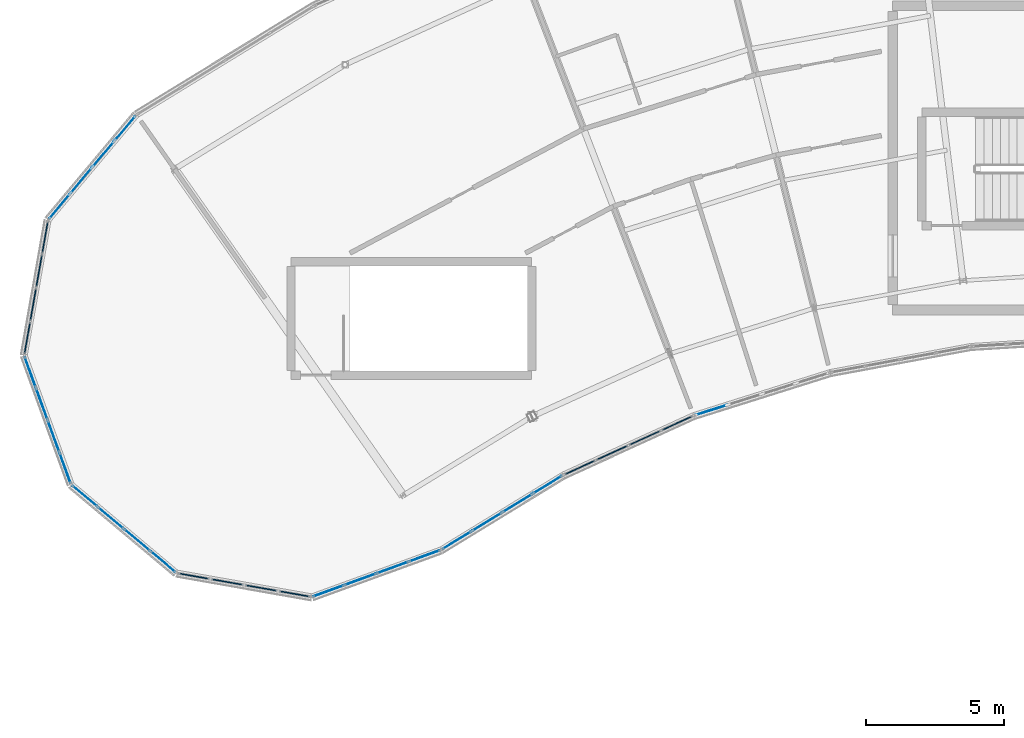
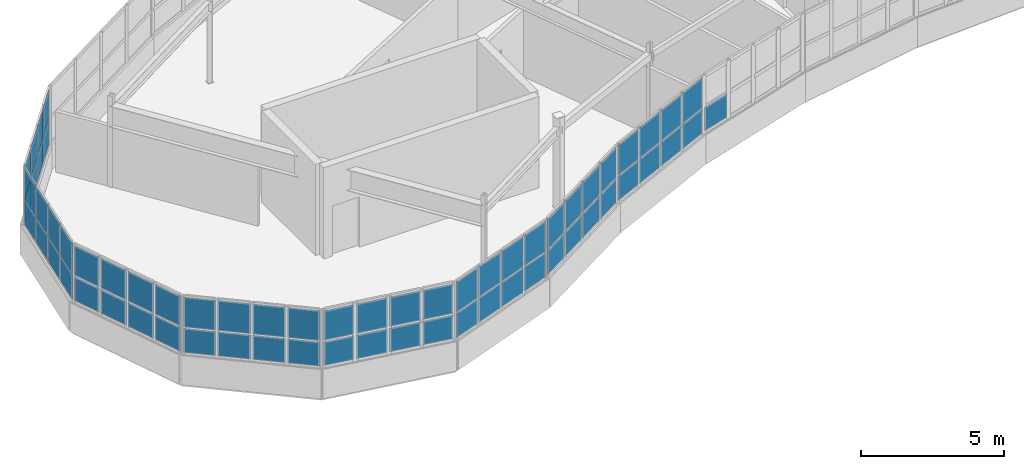
# One storey, part 41 of 60: 65 plates, 9 elements without a shape of their own.
"""IFC4 building model written with IfcOpenShell, lengths in metres."""

from ifc_helpers import new_model, si_unit, direction, frame, origin, origin_2d, place, context, subcontext, project, spatial, rectangle, extrude, material, layer, layer_set, type_object, element, aggregate, save


model = new_model("IFC4")

# Units and contexts
model_context = context("Model", 3, precision=1e-05, world=origin(), true_north=direction((0.0, 1.0)))
body_context = subcontext(model_context, "Body", "Model", "MODEL_VIEW")
ifc_project = project(units=[si_unit("LENGTHUNIT", "METRE"), si_unit("AREAUNIT", "SQUARE_METRE"), si_unit("VOLUMEUNIT", "CUBIC_METRE"), si_unit("PLANEANGLEUNIT", "RADIAN"), si_unit("MASSUNIT", "GRAM", prefix="KILO")], contexts=[model_context])

# Site, building, storey
site_placement = place(None, origin())
site = spatial("IfcSite", under=ifc_project, at=site_placement, CompositionType="ELEMENT")
building_placement = place(site_placement, origin())
building = spatial("IfcBuilding", under=site, at=building_placement, Name="Tarnwether General Hospital", CompositionType="ELEMENT")
storey_placement = place(building_placement, frame((0.0, 0.0, 26.10009765625)))
storey = spatial("IfcBuildingStorey", under=building, at=storey_placement, Name="L06", CompositionType="ELEMENT", Elevation=26.10009765625)

# Curtain wall, plates
ifc_material_1 = material(Name="Anodised aluminium", Category="aluminium")
ifc_layer_1 = layer(ifc_material_1, 0.159912109375)
ifc_layer_set_1 = layer_set([ifc_layer_1], Name="Anodised aluminium")
curtain_wall_type = type_object("IfcCurtainWallType", Name="CW-04", PredefinedType="NOTDEFINED", material=ifc_layer_set_1)
curtain_wall_1_placement = place(storey_placement, origin())
curtain_wall_1 = element("IfcCurtainWall", 1, at=curtain_wall_1_placement, inside=storey, type_object=curtain_wall_type, Name="Curtain Wall CWG-L06-543_1001-0098", PredefinedType="NOTDEFINED")
ifc_material_2 = material(Name="Double glazed low-E glass", Category="glass")
ifc_layer_2 = layer(ifc_material_2, 0.028076171875)
ifc_layer_set_2 = layer_set([ifc_layer_2], Name="Double glazed low-E glass")
plate_type_1 = type_object("IfcPlateType", Name="PT-CWP1", PredefinedType="CURTAIN_PANEL", material=ifc_layer_set_2)
plate_1_placement = place(storey_placement, frame((54.091552734375, 100.690185546875, 1.1201171875), z_axis=(0.0, 0.0, 1.0), x_axis=(-0.341953136469, 0.939717006582, 0.0)))
plate_1 = element("IfcPlate", 2, at=plate_1_placement, type_object=plate_type_1, Name="CW-04 panel 1.1", PredefinedType="CURTAIN_PANEL", context=body_context, shape_type="SweptSolid", body=[
    extrude(rectangle(XDim=1.13720703125, YDim=0.028076171875, at=origin_2d()), origin(), (0.0, 0.0, 1.0), 1.017822265625),
])
plate_2_placement = place(storey_placement, frame((54.091552734375, 100.690185546875, 2.207763671875), z_axis=(0.0, 0.0, 1.0), x_axis=(-0.341953136469, 0.939717006582, 0.0)))
plate_2 = element("IfcPlate", 3, at=plate_2_placement, type_object=plate_type_1, Name="CW-04 panel 1.2", PredefinedType="CURTAIN_PANEL", context=body_context, shape_type="SweptSolid", body=[
    extrude(rectangle(XDim=1.13720703125, YDim=0.028076171875, at=origin_2d()), origin(), (0.0, 0.0, 1.0), 1.26708984375),
])
plate_3_placement = place(storey_placement, frame((53.6728515625, 101.8408203125, 1.1201171875), z_axis=(0.0, 0.0, 1.0), x_axis=(-0.341953136469, 0.939717006582, 0.0)))
plate_3 = element("IfcPlate", 4, at=plate_3_placement, type_object=plate_type_1, Name="CW-04 panel 2.1", PredefinedType="CURTAIN_PANEL", context=body_context, shape_type="SweptSolid", body=[
    extrude(rectangle(XDim=1.172119140625, YDim=0.028076171875, at=origin_2d()), origin(), (0.0, 0.0, 1.0), 1.017822265625),
])
plate_4_placement = place(storey_placement, frame((53.6728515625, 101.8408203125, 2.207763671875), z_axis=(0.0, 0.0, 1.0), x_axis=(-0.341953136469, 0.939717006582, 0.0)))
plate_4 = element("IfcPlate", 5, at=plate_4_placement, type_object=plate_type_1, Name="CW-04 panel 2.2", PredefinedType="CURTAIN_PANEL", context=body_context, shape_type="SweptSolid", body=[
    extrude(rectangle(XDim=1.172119140625, YDim=0.028076171875, at=origin_2d()), origin(), (0.0, 0.0, 1.0), 1.26708984375),
])
plate_5_placement = place(storey_placement, frame((53.248046875, 103.008056640625, 1.1201171875), z_axis=(0.0, 0.0, 1.0), x_axis=(-0.341953136469, 0.939717006582, 0.0)))
plate_5 = element("IfcPlate", 6, at=plate_5_placement, type_object=plate_type_1, Name="CW-04 panel 3.1", PredefinedType="CURTAIN_PANEL", context=body_context, shape_type="SweptSolid", body=[
    extrude(rectangle(XDim=1.172119140625, YDim=0.028076171875, at=origin_2d()), origin(), (0.0, 0.0, 1.0), 1.017822265625),
])
plate_6_placement = place(storey_placement, frame((53.248046875, 103.008056640625, 2.207763671875), z_axis=(0.0, 0.0, 1.0), x_axis=(-0.341953136469, 0.939717006582, 0.0)))
plate_6 = element("IfcPlate", 7, at=plate_6_placement, type_object=plate_type_1, Name="CW-04 panel 3.2", PredefinedType="CURTAIN_PANEL", context=body_context, shape_type="SweptSolid", body=[
    extrude(rectangle(XDim=1.172119140625, YDim=0.028076171875, at=origin_2d()), origin(), (0.0, 0.0, 1.0), 1.26708984375),
])
plate_7_placement = place(storey_placement, frame((52.829345703125, 104.158935546875, 1.1201171875), z_axis=(0.0, 0.0, 1.0), x_axis=(-0.341953136469, 0.939717006582, 0.0)))
plate_7 = element("IfcPlate", 8, at=plate_7_placement, type_object=plate_type_1, Name="CW-04 panel 4.1", PredefinedType="CURTAIN_PANEL", context=body_context, shape_type="SweptSolid", body=[
    extrude(rectangle(XDim=1.13720703125, YDim=0.028076171875, at=origin_2d()), origin(), (0.0, 0.0, 1.0), 1.017822265625),
])
plate_8_placement = place(storey_placement, frame((52.829345703125, 104.158935546875, 2.207763671875), z_axis=(0.0, 0.0, 1.0), x_axis=(-0.341953136469, 0.939717006582, 0.0)))
plate_8 = element("IfcPlate", 9, at=plate_8_placement, type_object=plate_type_1, Name="CW-04 panel 4.2", PredefinedType="CURTAIN_PANEL", context=body_context, shape_type="SweptSolid", body=[
    extrude(rectangle(XDim=1.13720703125, YDim=0.028076171875, at=origin_2d()), origin(), (0.0, 0.0, 1.0), 1.26708984375),
])
aggregate(curtain_wall_1, [plate_1, plate_2, plate_3, plate_4, plate_5, plate_6, plate_7, plate_8])

curtain_wall_2_placement = place(storey_placement, origin())
curtain_wall_2 = element("IfcCurtainWall", 10, at=curtain_wall_2_placement, inside=storey, type_object=curtain_wall_type, Name="Curtain Wall CWG-L06-581_969-0099", PredefinedType="NOTDEFINED")
plate_9_placement = place(storey_placement, frame((57.628662109375, 97.304931640625, 1.11474609375), z_axis=(0.0, 0.0, 1.0), x_axis=(-0.765990176896, 0.64285227611, 0.0)))
plate_9 = element("IfcPlate", 11, at=plate_9_placement, type_object=plate_type_1, Name="CW-04 panel 1.1", PredefinedType="CURTAIN_PANEL", context=body_context, shape_type="SweptSolid", body=[
    extrude(rectangle(XDim=1.14501953125, YDim=0.028076171875, at=origin_2d()), origin(), (0.0, 0.0, 1.0), 1.025390625),
])
plate_10_placement = place(storey_placement, frame((57.628662109375, 97.304931640625, 2.205078125), z_axis=(0.0, 0.0, 1.0), x_axis=(-0.765990176896, 0.64285227611, 0.0)))
plate_10 = element("IfcPlate", 12, at=plate_10_placement, type_object=plate_type_1, Name="CW-04 panel 1.2", PredefinedType="CURTAIN_PANEL", context=body_context, shape_type="SweptSolid", body=[
    extrude(rectangle(XDim=1.14501953125, YDim=0.028076171875, at=origin_2d()), origin(), (0.0, 0.0, 1.0), 1.274658203125),
])
plate_11_placement = place(storey_placement, frame((56.689453125, 98.093017578125, 1.11474609375), z_axis=(0.0, 0.0, 1.0), x_axis=(-0.765990176896, 0.64285227611, 0.0)))
plate_11 = element("IfcPlate", 13, at=plate_11_placement, type_object=plate_type_1, Name="CW-04 panel 2.1", PredefinedType="CURTAIN_PANEL", context=body_context, shape_type="SweptSolid", body=[
    extrude(rectangle(XDim=1.177490234375, YDim=0.028076171875, at=origin_2d()), origin(), (0.0, 0.0, 1.0), 1.025390625),
])
plate_12_placement = place(storey_placement, frame((56.689453125, 98.093017578125, 2.205078125), z_axis=(0.0, 0.0, 1.0), x_axis=(-0.765990176896, 0.64285227611, 0.0)))
plate_12 = element("IfcPlate", 14, at=plate_12_placement, type_object=plate_type_1, Name="CW-04 panel 2.2", PredefinedType="CURTAIN_PANEL", context=body_context, shape_type="SweptSolid", body=[
    extrude(rectangle(XDim=1.177490234375, YDim=0.028076171875, at=origin_2d()), origin(), (0.0, 0.0, 1.0), 1.274658203125),
])
plate_13_placement = place(storey_placement, frame((55.737548828125, 98.891845703125, 1.11474609375), z_axis=(0.0, 0.0, 1.0), x_axis=(-0.765990176896, 0.64285227611, 0.0)))
plate_13 = element("IfcPlate", 15, at=plate_13_placement, type_object=plate_type_1, Name="CW-04 panel 3.1", PredefinedType="CURTAIN_PANEL", context=body_context, shape_type="SweptSolid", body=[
    extrude(rectangle(XDim=1.177490234375, YDim=0.028076171875, at=origin_2d()), origin(), (0.0, 0.0, 1.0), 1.025390625),
])
plate_14_placement = place(storey_placement, frame((55.737548828125, 98.891845703125, 2.205078125), z_axis=(0.0, 0.0, 1.0), x_axis=(-0.765990176896, 0.64285227611, 0.0)))
plate_14 = element("IfcPlate", 16, at=plate_14_placement, type_object=plate_type_1, Name="CW-04 panel 3.2", PredefinedType="CURTAIN_PANEL", context=body_context, shape_type="SweptSolid", body=[
    extrude(rectangle(XDim=1.177490234375, YDim=0.028076171875, at=origin_2d()), origin(), (0.0, 0.0, 1.0), 1.274658203125),
])
plate_15_placement = place(storey_placement, frame((54.79833984375, 99.68017578125, 1.11474609375), z_axis=(0.0, 0.0, 1.0), x_axis=(-0.765990176896, 0.64285227611, 0.0)))
plate_15 = element("IfcPlate", 17, at=plate_15_placement, type_object=plate_type_1, Name="CW-04 panel 4.1", PredefinedType="CURTAIN_PANEL", context=body_context, shape_type="SweptSolid", body=[
    extrude(rectangle(XDim=1.14501953125, YDim=0.028076171875, at=origin_2d()), origin(), (0.0, 0.0, 1.0), 1.025390625),
])
plate_16_placement = place(storey_placement, frame((54.79833984375, 99.68017578125, 2.205078125), z_axis=(0.0, 0.0, 1.0), x_axis=(-0.765990176896, 0.64285227611, 0.0)))
plate_16 = element("IfcPlate", 18, at=plate_16_placement, type_object=plate_type_1, Name="CW-04 panel 4.2", PredefinedType="CURTAIN_PANEL", context=body_context, shape_type="SweptSolid", body=[
    extrude(rectangle(XDim=1.14501953125, YDim=0.028076171875, at=origin_2d()), origin(), (0.0, 0.0, 1.0), 1.274658203125),
])
aggregate(curtain_wall_2, [plate_9, plate_10, plate_11, plate_12, plate_13, plate_14, plate_15, plate_16])

curtain_wall_3_placement = place(storey_placement, origin())
curtain_wall_3 = element("IfcCurtainWall", 19, at=curtain_wall_3_placement, inside=storey, type_object=curtain_wall_type, Name="Curtain Wall CWG-L06-677_977-0101", PredefinedType="NOTDEFINED")
plate_17_placement = place(storey_placement, frame((67.082275390625, 97.514404296875, 1.10986328125), z_axis=(0.0, 0.0, 1.0), x_axis=(-0.939652319163, -0.342130850834, 0.0)))
plate_17 = element("IfcPlate", 20, at=plate_17_placement, type_object=plate_type_1, Name="CW-04 panel 1.1", PredefinedType="CURTAIN_PANEL", context=body_context, shape_type="SweptSolid", body=[
    extrude(rectangle(XDim=1.152099609375, YDim=0.028076171875, at=origin_2d()), origin(), (0.0, 0.0, 1.0), 1.03271484375),
])
plate_18_placement = place(storey_placement, frame((67.082275390625, 97.514404296875, 2.20263671875), z_axis=(0.0, 0.0, 1.0), x_axis=(-0.939652319163, -0.342130850834, 0.0)))
plate_18 = element("IfcPlate", 21, at=plate_18_placement, type_object=plate_type_1, Name="CW-04 panel 1.2", PredefinedType="CURTAIN_PANEL", context=body_context, shape_type="SweptSolid", body=[
    extrude(rectangle(XDim=1.152099609375, YDim=0.028076171875, at=origin_2d()), origin(), (0.0, 0.0, 1.0), 1.2822265625),
])
plate_19_placement = place(storey_placement, frame((65.92919921875, 97.094482421875, 1.10986328125), z_axis=(0.0, 0.0, 1.0), x_axis=(-0.939652319163, -0.342130850834, 0.0)))
plate_19 = element("IfcPlate", 22, at=plate_19_placement, type_object=plate_type_1, Name="CW-04 panel 2.1", PredefinedType="CURTAIN_PANEL", context=body_context, shape_type="SweptSolid", body=[
    extrude(rectangle(XDim=1.18212890625, YDim=0.028076171875, at=origin_2d()), origin(), (0.0, 0.0, 1.0), 1.03271484375),
])
plate_20_placement = place(storey_placement, frame((65.92919921875, 97.094482421875, 2.20263671875), z_axis=(0.0, 0.0, 1.0), x_axis=(-0.939652319163, -0.342130850834, 0.0)))
plate_20 = element("IfcPlate", 23, at=plate_20_placement, type_object=plate_type_1, Name="CW-04 panel 2.2", PredefinedType="CURTAIN_PANEL", context=body_context, shape_type="SweptSolid", body=[
    extrude(rectangle(XDim=1.18212890625, YDim=0.028076171875, at=origin_2d()), origin(), (0.0, 0.0, 1.0), 1.2822265625),
])
plate_21_placement = place(storey_placement, frame((64.761962890625, 96.66943359375, 1.10986328125), z_axis=(0.0, 0.0, 1.0), x_axis=(-0.939652319163, -0.342130850834, 0.0)))
plate_21 = element("IfcPlate", 24, at=plate_21_placement, type_object=plate_type_1, Name="CW-04 panel 3.1", PredefinedType="CURTAIN_PANEL", context=body_context, shape_type="SweptSolid", body=[
    extrude(rectangle(XDim=1.18212890625, YDim=0.028076171875, at=origin_2d()), origin(), (0.0, 0.0, 1.0), 1.03271484375),
])
plate_22_placement = place(storey_placement, frame((64.761962890625, 96.66943359375, 2.20263671875), z_axis=(0.0, 0.0, 1.0), x_axis=(-0.939652319163, -0.342130850834, 0.0)))
plate_22 = element("IfcPlate", 25, at=plate_22_placement, type_object=plate_type_1, Name="CW-04 panel 3.2", PredefinedType="CURTAIN_PANEL", context=body_context, shape_type="SweptSolid", body=[
    extrude(rectangle(XDim=1.18212890625, YDim=0.028076171875, at=origin_2d()), origin(), (0.0, 0.0, 1.0), 1.2822265625),
])
plate_23_placement = place(storey_placement, frame((63.608642578125, 96.24951171875, 1.10986328125), z_axis=(0.0, 0.0, 1.0), x_axis=(-0.939652319163, -0.342130850834, 0.0)))
plate_23 = element("IfcPlate", 26, at=plate_23_placement, type_object=plate_type_1, Name="CW-04 panel 4.1", PredefinedType="CURTAIN_PANEL", context=body_context, shape_type="SweptSolid", body=[
    extrude(rectangle(XDim=1.152099609375, YDim=0.028076171875, at=origin_2d()), origin(), (0.0, 0.0, 1.0), 1.03271484375),
])
plate_24_placement = place(storey_placement, frame((63.608642578125, 96.24951171875, 2.20263671875), z_axis=(0.0, 0.0, 1.0), x_axis=(-0.939652319163, -0.342130850834, 0.0)))
plate_24 = element("IfcPlate", 27, at=plate_24_placement, type_object=plate_type_1, Name="CW-04 panel 4.2", PredefinedType="CURTAIN_PANEL", context=body_context, shape_type="SweptSolid", body=[
    extrude(rectangle(XDim=1.152099609375, YDim=0.028076171875, at=origin_2d()), origin(), (0.0, 0.0, 1.0), 1.2822265625),
])
aggregate(curtain_wall_3, [plate_17, plate_18, plate_19, plate_20, plate_21, plate_22, plate_23, plate_24])

curtain_wall_4_placement = place(storey_placement, origin())
curtain_wall_4 = element("IfcCurtainWall", 28, at=curtain_wall_4_placement, inside=storey, type_object=curtain_wall_type, Name="Curtain Wall CWG-L06-721_1004-0102", PredefinedType="NOTDEFINED")
plate_25_placement = place(storey_placement, frame((71.52734375, 100.08984375, 1.1201171875), z_axis=(0.0, 0.0, 1.0), x_axis=(-0.852631789198, -0.522512231483, 0.0)))
plate_25 = element("IfcPlate", 29, at=plate_25_placement, type_object=plate_type_1, Name="CW-04 panel 1.1", PredefinedType="CURTAIN_PANEL", context=body_context, shape_type="SweptSolid", body=[
    extrude(rectangle(XDim=1.189208984375, YDim=0.028076171875, at=origin_2d()), origin(), (0.0, 0.0, 1.0), 1.017822265625),
])
plate_26_placement = place(storey_placement, frame((71.52734375, 100.08984375, 2.207763671875), z_axis=(0.0, 0.0, 1.0), x_axis=(-0.852631789198, -0.522512231483, 0.0)))
plate_26 = element("IfcPlate", 30, at=plate_26_placement, type_object=plate_type_1, Name="CW-04 panel 1.2", PredefinedType="CURTAIN_PANEL", context=body_context, shape_type="SweptSolid", body=[
    extrude(rectangle(XDim=1.189208984375, YDim=0.028076171875, at=origin_2d()), origin(), (0.0, 0.0, 1.0), 1.26708984375),
])
plate_27_placement = place(storey_placement, frame((70.438720703125, 99.422607421875, 1.1201171875), z_axis=(0.0, 0.0, 1.0), x_axis=(-0.852631789198, -0.522512231483, 0.0)))
plate_27 = element("IfcPlate", 31, at=plate_27_placement, type_object=plate_type_1, Name="CW-04 panel 2.1", PredefinedType="CURTAIN_PANEL", context=body_context, shape_type="SweptSolid", body=[
    extrude(rectangle(XDim=1.22412109375, YDim=0.028076171875, at=origin_2d()), origin(), (0.0, 0.0, 1.0), 1.017822265625),
])
plate_28_placement = place(storey_placement, frame((70.438720703125, 99.422607421875, 2.207763671875), z_axis=(0.0, 0.0, 1.0), x_axis=(-0.852631789198, -0.522512231483, 0.0)))
plate_28 = element("IfcPlate", 32, at=plate_28_placement, type_object=plate_type_1, Name="CW-04 panel 2.2", PredefinedType="CURTAIN_PANEL", context=body_context, shape_type="SweptSolid", body=[
    extrude(rectangle(XDim=1.22412109375, YDim=0.028076171875, at=origin_2d()), origin(), (0.0, 0.0, 1.0), 1.26708984375),
])
plate_29_placement = place(storey_placement, frame((69.335205078125, 98.746337890625, 1.1201171875), z_axis=(0.0, 0.0, 1.0), x_axis=(-0.852631789198, -0.522512231483, 0.0)))
plate_29 = element("IfcPlate", 33, at=plate_29_placement, type_object=plate_type_1, Name="CW-04 panel 3.1", PredefinedType="CURTAIN_PANEL", context=body_context, shape_type="SweptSolid", body=[
    extrude(rectangle(XDim=1.22412109375, YDim=0.028076171875, at=origin_2d()), origin(), (0.0, 0.0, 1.0), 1.017822265625),
])
plate_30_placement = place(storey_placement, frame((69.335205078125, 98.746337890625, 2.207763671875), z_axis=(0.0, 0.0, 1.0), x_axis=(-0.852631789198, -0.522512231483, 0.0)))
plate_30 = element("IfcPlate", 34, at=plate_30_placement, type_object=plate_type_1, Name="CW-04 panel 3.2", PredefinedType="CURTAIN_PANEL", context=body_context, shape_type="SweptSolid", body=[
    extrude(rectangle(XDim=1.22412109375, YDim=0.028076171875, at=origin_2d()), origin(), (0.0, 0.0, 1.0), 1.26708984375),
])
plate_31_placement = place(storey_placement, frame((68.24658203125, 98.079345703125, 1.1201171875), z_axis=(0.0, 0.0, 1.0), x_axis=(-0.852631789198, -0.522512231483, 0.0)))
plate_31 = element("IfcPlate", 35, at=plate_31_placement, type_object=plate_type_1, Name="CW-04 panel 4.1", PredefinedType="CURTAIN_PANEL", context=body_context, shape_type="SweptSolid", body=[
    extrude(rectangle(XDim=1.189208984375, YDim=0.028076171875, at=origin_2d()), origin(), (0.0, 0.0, 1.0), 1.017822265625),
])
plate_32_placement = place(storey_placement, frame((68.24658203125, 98.079345703125, 2.207763671875), z_axis=(0.0, 0.0, 1.0), x_axis=(-0.852631789198, -0.522512231483, 0.0)))
plate_32 = element("IfcPlate", 36, at=plate_32_placement, type_object=plate_type_1, Name="CW-04 panel 4.2", PredefinedType="CURTAIN_PANEL", context=body_context, shape_type="SweptSolid", body=[
    extrude(rectangle(XDim=1.189208984375, YDim=0.028076171875, at=origin_2d()), origin(), (0.0, 0.0, 1.0), 1.26708984375),
])
aggregate(curtain_wall_4, [plate_25, plate_26, plate_27, plate_28, plate_29, plate_30, plate_31, plate_32])

# Curtain wall, plate
curtain_wall_5_placement = place(storey_placement, origin())
curtain_wall_5 = element("IfcCurtainWall", 37, at=curtain_wall_5_placement, inside=storey, type_object=curtain_wall_type, Name="Curtain Wall CWG-L06-817_1041-0104", PredefinedType="NOTDEFINED")
plate_33_placement = place(storey_placement, frame((77.44140625, 102.78466796875, 1.1298828125), z_axis=(0.0, 0.0, 1.0), x_axis=(-0.953713927508, -0.30071538783, 0.0)))
plate_33 = element("IfcPlate", 38, at=plate_33_placement, type_object=plate_type_1, Name="CW-04 panel 4.1", PredefinedType="CURTAIN_PANEL", context=body_context, shape_type="SweptSolid", body=[
    extrude(rectangle(XDim=1.17431640625, YDim=0.028076171875, at=origin_2d()), origin(), (0.0, 0.0, 1.0), 1.002685546875),
])
aggregate(curtain_wall_5, [plate_33])

# Curtain wall, plates
curtain_wall_6_placement = place(storey_placement, origin())
curtain_wall_6 = element("IfcCurtainWall", 39, at=curtain_wall_6_placement, inside=storey, type_object=curtain_wall_type, Name="Curtain Wall CWG-L06-535_1097-0128", PredefinedType="NOTDEFINED")
plate_34_placement = place(storey_placement, frame((53.88525390625, 110.144287109375, 1.1298828125), z_axis=(0.0, 0.0, 1.0), x_axis=(0.64285227611, 0.765990176896, 0.0)))
plate_34 = element("IfcPlate", 40, at=plate_34_placement, type_object=plate_type_1, Name="CW-04 panel 1.1", PredefinedType="CURTAIN_PANEL", context=body_context, shape_type="SweptSolid", body=[
    extrude(rectangle(XDim=1.12255859375, YDim=0.028076171875, at=origin_2d()), origin(), (0.0, 0.0, 1.0), 1.002685546875),
])
plate_35_placement = place(storey_placement, frame((53.88525390625, 110.144287109375, 2.212890625), z_axis=(0.0, 0.0, 1.0), x_axis=(0.64285227611, 0.765990176896, 0.0)))
plate_35 = element("IfcPlate", 41, at=plate_35_placement, type_object=plate_type_1, Name="CW-04 panel 1.2", PredefinedType="CURTAIN_PANEL", context=body_context, shape_type="SweptSolid", body=[
    extrude(rectangle(XDim=1.12255859375, YDim=0.028076171875, at=origin_2d()), origin(), (0.0, 0.0, 1.0), 1.252197265625),
])
plate_36_placement = place(storey_placement, frame((54.671142578125, 111.08056640625, 1.1298828125), z_axis=(0.0, 0.0, 1.0), x_axis=(0.64285227611, 0.765990176896, 0.0)))
plate_36 = element("IfcPlate", 42, at=plate_36_placement, type_object=plate_type_1, Name="CW-04 panel 2.1", PredefinedType="CURTAIN_PANEL", context=body_context, shape_type="SweptSolid", body=[
    extrude(rectangle(XDim=1.16259765625, YDim=0.028076171875, at=origin_2d()), origin(), (0.0, 0.0, 1.0), 1.002685546875),
])
plate_37_placement = place(storey_placement, frame((54.671142578125, 111.08056640625, 2.212890625), z_axis=(0.0, 0.0, 1.0), x_axis=(0.64285227611, 0.765990176896, 0.0)))
plate_37 = element("IfcPlate", 43, at=plate_37_placement, type_object=plate_type_1, Name="CW-04 panel 2.2", PredefinedType="CURTAIN_PANEL", context=body_context, shape_type="SweptSolid", body=[
    extrude(rectangle(XDim=1.16259765625, YDim=0.028076171875, at=origin_2d()), origin(), (0.0, 0.0, 1.0), 1.252197265625),
])
plate_38_placement = place(storey_placement, frame((55.469970703125, 112.032470703125, 1.1298828125), z_axis=(0.0, 0.0, 1.0), x_axis=(0.64285227611, 0.765990176896, 0.0)))
plate_38 = element("IfcPlate", 44, at=plate_38_placement, type_object=plate_type_1, Name="CW-04 panel 3.1", PredefinedType="CURTAIN_PANEL", context=body_context, shape_type="SweptSolid", body=[
    extrude(rectangle(XDim=1.16259765625, YDim=0.028076171875, at=origin_2d()), origin(), (0.0, 0.0, 1.0), 1.002685546875),
])
plate_39_placement = place(storey_placement, frame((55.469970703125, 112.032470703125, 2.212890625), z_axis=(0.0, 0.0, 1.0), x_axis=(0.64285227611, 0.765990176896, 0.0)))
plate_39 = element("IfcPlate", 45, at=plate_39_placement, type_object=plate_type_1, Name="CW-04 panel 3.2", PredefinedType="CURTAIN_PANEL", context=body_context, shape_type="SweptSolid", body=[
    extrude(rectangle(XDim=1.16259765625, YDim=0.028076171875, at=origin_2d()), origin(), (0.0, 0.0, 1.0), 1.252197265625),
])
plate_40_placement = place(storey_placement, frame((56.255859375, 112.96875, 1.1298828125), z_axis=(0.0, 0.0, 1.0), x_axis=(0.64285227611, 0.765990176896, 0.0)))
plate_40 = element("IfcPlate", 46, at=plate_40_placement, type_object=plate_type_1, Name="CW-04 panel 4.1", PredefinedType="CURTAIN_PANEL", context=body_context, shape_type="SweptSolid", body=[
    extrude(rectangle(XDim=1.12255859375, YDim=0.028076171875, at=origin_2d()), origin(), (0.0, 0.0, 1.0), 1.002685546875),
])
plate_41_placement = place(storey_placement, frame((56.255859375, 112.96875, 2.212890625), z_axis=(0.0, 0.0, 1.0), x_axis=(0.64285227611, 0.765990176896, 0.0)))
plate_41 = element("IfcPlate", 47, at=plate_41_placement, type_object=plate_type_1, Name="CW-04 panel 4.2", PredefinedType="CURTAIN_PANEL", context=body_context, shape_type="SweptSolid", body=[
    extrude(rectangle(XDim=1.12255859375, YDim=0.028076171875, at=origin_2d()), origin(), (0.0, 0.0, 1.0), 1.252197265625),
])
aggregate(curtain_wall_6, [plate_34, plate_35, plate_36, plate_37, plate_38, plate_39, plate_40, plate_41])

curtain_wall_7_placement = place(storey_placement, origin())
curtain_wall_7 = element("IfcCurtainWall", 48, at=curtain_wall_7_placement, inside=storey, type_object=curtain_wall_type, Name="Curtain Wall CWG-L06-526_1048-0097", PredefinedType="NOTDEFINED")
ifc_material_3 = material(Name="Double glazed low-E glass", Category="glass")
ifc_layer_3 = layer(ifc_material_3, 0.035888671875)
ifc_layer_set_3 = layer_set([ifc_layer_3], Name="Double glazed low-E glass")
plate_type_2 = type_object("IfcPlateType", Name="PT-CWP2", PredefinedType="CURTAIN_PANEL", material=ifc_layer_set_3)
plate_42_placement = place(storey_placement, frame((52.721435546875, 105.385498046875, 1.10986328125), z_axis=(0.0, 0.0, 1.0), x_axis=(0.173463890135, 0.984840230098, 0.0)))
plate_42 = element("IfcPlate", 49, at=plate_42_placement, type_object=plate_type_2, Name="CW-04 panel 1.1", PredefinedType="CURTAIN_PANEL", context=body_context, shape_type="SweptSolid", body=[
    extrude(rectangle(XDim=1.15234375, YDim=0.035888671875, at=origin_2d()), origin(), (0.0, 0.0, 1.0), 1.03271484375),
])
plate_43_placement = place(storey_placement, frame((52.721435546875, 105.385498046875, 2.20263671875), z_axis=(0.0, 0.0, 1.0), x_axis=(0.173463890135, 0.984840230098, 0.0)))
plate_43 = element("IfcPlate", 50, at=plate_43_placement, type_object=plate_type_2, Name="CW-04 panel 1.2", PredefinedType="CURTAIN_PANEL", context=body_context, shape_type="SweptSolid", body=[
    extrude(rectangle(XDim=1.15234375, YDim=0.035888671875, at=origin_2d()), origin(), (0.0, 0.0, 1.0), 1.2822265625),
])
plate_44_placement = place(storey_placement, frame((52.934326171875, 106.59423828125, 1.10986328125), z_axis=(0.0, 0.0, 1.0), x_axis=(0.173463890135, 0.984840230098, 0.0)))
plate_44 = element("IfcPlate", 51, at=plate_44_placement, type_object=plate_type_2, Name="CW-04 panel 2.1", PredefinedType="CURTAIN_PANEL", context=body_context, shape_type="SweptSolid", body=[
    extrude(rectangle(XDim=1.182373046875, YDim=0.035888671875, at=origin_2d()), origin(), (0.0, 0.0, 1.0), 1.03271484375),
])
plate_45_placement = place(storey_placement, frame((52.934326171875, 106.59423828125, 2.20263671875), z_axis=(0.0, 0.0, 1.0), x_axis=(0.173463890135, 0.984840230098, 0.0)))
plate_45 = element("IfcPlate", 52, at=plate_45_placement, type_object=plate_type_2, Name="CW-04 panel 2.2", PredefinedType="CURTAIN_PANEL", context=body_context, shape_type="SweptSolid", body=[
    extrude(rectangle(XDim=1.182373046875, YDim=0.035888671875, at=origin_2d()), origin(), (0.0, 0.0, 1.0), 1.2822265625),
])
plate_46_placement = place(storey_placement, frame((53.149658203125, 107.81787109375, 1.10986328125), z_axis=(0.0, 0.0, 1.0), x_axis=(0.173463890135, 0.984840230098, 0.0)))
plate_46 = element("IfcPlate", 53, at=plate_46_placement, type_object=plate_type_2, Name="CW-04 panel 3.1", PredefinedType="CURTAIN_PANEL", context=body_context, shape_type="SweptSolid", body=[
    extrude(rectangle(XDim=1.182373046875, YDim=0.035888671875, at=origin_2d()), origin(), (0.0, 0.0, 1.0), 1.03271484375),
])
plate_47_placement = place(storey_placement, frame((53.149658203125, 107.81787109375, 2.20263671875), z_axis=(0.0, 0.0, 1.0), x_axis=(0.173463890135, 0.984840230098, 0.0)))
plate_47 = element("IfcPlate", 54, at=plate_47_placement, type_object=plate_type_2, Name="CW-04 panel 3.2", PredefinedType="CURTAIN_PANEL", context=body_context, shape_type="SweptSolid", body=[
    extrude(rectangle(XDim=1.182373046875, YDim=0.035888671875, at=origin_2d()), origin(), (0.0, 0.0, 1.0), 1.2822265625),
])
plate_48_placement = place(storey_placement, frame((53.362548828125, 109.0263671875, 1.10986328125), z_axis=(0.0, 0.0, 1.0), x_axis=(0.173463890135, 0.984840230098, 0.0)))
plate_48 = element("IfcPlate", 55, at=plate_48_placement, type_object=plate_type_2, Name="CW-04 panel 4.1", PredefinedType="CURTAIN_PANEL", context=body_context, shape_type="SweptSolid", body=[
    extrude(rectangle(XDim=1.15234375, YDim=0.035888671875, at=origin_2d()), origin(), (0.0, 0.0, 1.0), 1.03271484375),
])
plate_49_placement = place(storey_placement, frame((53.362548828125, 109.0263671875, 2.20263671875), z_axis=(0.0, 0.0, 1.0), x_axis=(0.173463890135, 0.984840230098, 0.0)))
plate_49 = element("IfcPlate", 56, at=plate_49_placement, type_object=plate_type_2, Name="CW-04 panel 4.2", PredefinedType="CURTAIN_PANEL", context=body_context, shape_type="SweptSolid", body=[
    extrude(rectangle(XDim=1.15234375, YDim=0.035888671875, at=origin_2d()), origin(), (0.0, 0.0, 1.0), 1.2822265625),
])
aggregate(curtain_wall_7, [plate_42, plate_43, plate_44, plate_45, plate_46, plate_47, plate_48, plate_49])

curtain_wall_8_placement = place(storey_placement, origin())
curtain_wall_8 = element("IfcCurtainWall", 57, at=curtain_wall_8_placement, inside=storey, type_object=curtain_wall_type, Name="Curtain Wall CWG-L06-630_960-0100", PredefinedType="NOTDEFINED")
plate_50_placement = place(storey_placement, frame((62.379638671875, 96.143310546875, 1.1298828125), z_axis=(0.0, 0.0, 1.0), x_axis=(-0.984805834268, 0.173659059054, 0.0)))
plate_50 = element("IfcPlate", 58, at=plate_50_placement, type_object=plate_type_2, Name="CW-04 panel 1.1", PredefinedType="CURTAIN_PANEL", context=body_context, shape_type="SweptSolid", body=[
    extrude(rectangle(XDim=1.122314453125, YDim=0.035888671875, at=origin_2d()), origin(), (0.0, 0.0, 1.0), 1.002685546875),
])
plate_51_placement = place(storey_placement, frame((62.379638671875, 96.143310546875, 2.212890625), z_axis=(0.0, 0.0, 1.0), x_axis=(-0.984805834268, 0.173659059054, 0.0)))
plate_51 = element("IfcPlate", 59, at=plate_51_placement, type_object=plate_type_2, Name="CW-04 panel 1.2", PredefinedType="CURTAIN_PANEL", context=body_context, shape_type="SweptSolid", body=[
    extrude(rectangle(XDim=1.122314453125, YDim=0.035888671875, at=origin_2d()), origin(), (0.0, 0.0, 1.0), 1.252197265625),
])
plate_52_placement = place(storey_placement, frame((61.17578125, 96.355712890625, 1.1298828125), z_axis=(0.0, 0.0, 1.0), x_axis=(-0.984805834268, 0.173659059054, 0.0)))
plate_52 = element("IfcPlate", 60, at=plate_52_placement, type_object=plate_type_2, Name="CW-04 panel 2.1", PredefinedType="CURTAIN_PANEL", context=body_context, shape_type="SweptSolid", body=[
    extrude(rectangle(XDim=1.162353515625, YDim=0.035888671875, at=origin_2d()), origin(), (0.0, 0.0, 1.0), 1.002685546875),
])
plate_53_placement = place(storey_placement, frame((61.17578125, 96.355712890625, 2.212890625), z_axis=(0.0, 0.0, 1.0), x_axis=(-0.984805834268, 0.173659059054, 0.0)))
plate_53 = element("IfcPlate", 61, at=plate_53_placement, type_object=plate_type_2, Name="CW-04 panel 2.2", PredefinedType="CURTAIN_PANEL", context=body_context, shape_type="SweptSolid", body=[
    extrude(rectangle(XDim=1.162353515625, YDim=0.035888671875, at=origin_2d()), origin(), (0.0, 0.0, 1.0), 1.252197265625),
])
plate_54_placement = place(storey_placement, frame((59.9521484375, 96.5712890625, 1.1298828125), z_axis=(0.0, 0.0, 1.0), x_axis=(-0.984805834268, 0.173659059054, 0.0)))
plate_54 = element("IfcPlate", 62, at=plate_54_placement, type_object=plate_type_2, Name="CW-04 panel 3.1", PredefinedType="CURTAIN_PANEL", context=body_context, shape_type="SweptSolid", body=[
    extrude(rectangle(XDim=1.162353515625, YDim=0.035888671875, at=origin_2d()), origin(), (0.0, 0.0, 1.0), 1.002685546875),
])
plate_55_placement = place(storey_placement, frame((59.9521484375, 96.5712890625, 2.212890625), z_axis=(0.0, 0.0, 1.0), x_axis=(-0.984805834268, 0.173659059054, 0.0)))
plate_55 = element("IfcPlate", 63, at=plate_55_placement, type_object=plate_type_2, Name="CW-04 panel 3.2", PredefinedType="CURTAIN_PANEL", context=body_context, shape_type="SweptSolid", body=[
    extrude(rectangle(XDim=1.162353515625, YDim=0.035888671875, at=origin_2d()), origin(), (0.0, 0.0, 1.0), 1.252197265625),
])
plate_56_placement = place(storey_placement, frame((58.74853515625, 96.78369140625, 1.1298828125), z_axis=(0.0, 0.0, 1.0), x_axis=(-0.984805834268, 0.173659059054, 0.0)))
plate_56 = element("IfcPlate", 64, at=plate_56_placement, type_object=plate_type_2, Name="CW-04 panel 4.1", PredefinedType="CURTAIN_PANEL", context=body_context, shape_type="SweptSolid", body=[
    extrude(rectangle(XDim=1.122314453125, YDim=0.035888671875, at=origin_2d()), origin(), (0.0, 0.0, 1.0), 1.002685546875),
])
plate_57_placement = place(storey_placement, frame((58.74853515625, 96.78369140625, 2.212890625), z_axis=(0.0, 0.0, 1.0), x_axis=(-0.984805834268, 0.173659059054, 0.0)))
plate_57 = element("IfcPlate", 65, at=plate_57_placement, type_object=plate_type_2, Name="CW-04 panel 4.2", PredefinedType="CURTAIN_PANEL", context=body_context, shape_type="SweptSolid", body=[
    extrude(rectangle(XDim=1.122314453125, YDim=0.035888671875, at=origin_2d()), origin(), (0.0, 0.0, 1.0), 1.252197265625),
])
aggregate(curtain_wall_8, [plate_50, plate_51, plate_52, plate_53, plate_54, plate_55, plate_56, plate_57])

curtain_wall_9_placement = place(storey_placement, origin())
curtain_wall_9 = element("IfcCurtainWall", 66, at=curtain_wall_9_placement, inside=storey, type_object=curtain_wall_type, Name="Curtain Wall CWG-L06-768_1026-0103", PredefinedType="NOTDEFINED")
plate_58_placement = place(storey_placement, frame((76.201416015625, 102.308837890625, 1.11474609375), z_axis=(0.0, 0.0, 1.0), x_axis=(-0.90995590549, -0.41470501572, 0.0)))
plate_58 = element("IfcPlate", 67, at=plate_58_placement, type_object=plate_type_2, Name="CW-04 panel 1.1", PredefinedType="CURTAIN_PANEL", context=body_context, shape_type="SweptSolid", body=[
    extrude(rectangle(XDim=1.19677734375, YDim=0.035888671875, at=origin_2d()), origin(), (0.0, 0.0, 1.0), 1.025390625),
])
plate_59_placement = place(storey_placement, frame((76.201416015625, 102.308837890625, 2.205078125), z_axis=(0.0, 0.0, 1.0), x_axis=(-0.90995590549, -0.41470501572, 0.0)))
plate_59 = element("IfcPlate", 68, at=plate_59_placement, type_object=plate_type_2, Name="CW-04 panel 1.2", PredefinedType="CURTAIN_PANEL", context=body_context, shape_type="SweptSolid", body=[
    extrude(rectangle(XDim=1.19677734375, YDim=0.035888671875, at=origin_2d()), origin(), (0.0, 0.0, 1.0), 1.274658203125),
])
plate_60_placement = place(storey_placement, frame((75.038330078125, 101.77880859375, 1.11474609375), z_axis=(0.0, 0.0, 1.0), x_axis=(-0.90995590549, -0.41470501572, 0.0)))
plate_60 = element("IfcPlate", 69, at=plate_60_placement, type_object=plate_type_2, Name="CW-04 panel 2.1", PredefinedType="CURTAIN_PANEL", context=body_context, shape_type="SweptSolid", body=[
    extrude(rectangle(XDim=1.229248046875, YDim=0.035888671875, at=origin_2d()), origin(), (0.0, 0.0, 1.0), 1.025390625),
])
plate_61_placement = place(storey_placement, frame((75.038330078125, 101.77880859375, 2.205078125), z_axis=(0.0, 0.0, 1.0), x_axis=(-0.90995590549, -0.41470501572, 0.0)))
plate_61 = element("IfcPlate", 70, at=plate_61_placement, type_object=plate_type_2, Name="CW-04 panel 2.2", PredefinedType="CURTAIN_PANEL", context=body_context, shape_type="SweptSolid", body=[
    extrude(rectangle(XDim=1.229248046875, YDim=0.035888671875, at=origin_2d()), origin(), (0.0, 0.0, 1.0), 1.274658203125),
])
plate_62_placement = place(storey_placement, frame((73.860595703125, 101.2421875, 1.11474609375), z_axis=(0.0, 0.0, 1.0), x_axis=(-0.90995590549, -0.41470501572, 0.0)))
plate_62 = element("IfcPlate", 71, at=plate_62_placement, type_object=plate_type_2, Name="CW-04 panel 3.1", PredefinedType="CURTAIN_PANEL", context=body_context, shape_type="SweptSolid", body=[
    extrude(rectangle(XDim=1.229248046875, YDim=0.035888671875, at=origin_2d()), origin(), (0.0, 0.0, 1.0), 1.025390625),
])
plate_63_placement = place(storey_placement, frame((73.860595703125, 101.2421875, 2.205078125), z_axis=(0.0, 0.0, 1.0), x_axis=(-0.90995590549, -0.41470501572, 0.0)))
plate_63 = element("IfcPlate", 72, at=plate_63_placement, type_object=plate_type_2, Name="CW-04 panel 3.2", PredefinedType="CURTAIN_PANEL", context=body_context, shape_type="SweptSolid", body=[
    extrude(rectangle(XDim=1.229248046875, YDim=0.035888671875, at=origin_2d()), origin(), (0.0, 0.0, 1.0), 1.274658203125),
])
plate_64_placement = place(storey_placement, frame((72.69775390625, 100.712158203125, 1.11474609375), z_axis=(0.0, 0.0, 1.0), x_axis=(-0.90995590549, -0.41470501572, 0.0)))
plate_64 = element("IfcPlate", 73, at=plate_64_placement, type_object=plate_type_2, Name="CW-04 panel 4.1", PredefinedType="CURTAIN_PANEL", context=body_context, shape_type="SweptSolid", body=[
    extrude(rectangle(XDim=1.19677734375, YDim=0.035888671875, at=origin_2d()), origin(), (0.0, 0.0, 1.0), 1.025390625),
])
plate_65_placement = place(storey_placement, frame((72.69775390625, 100.712158203125, 2.205078125), z_axis=(0.0, 0.0, 1.0), x_axis=(-0.90995590549, -0.41470501572, 0.0)))
plate_65 = element("IfcPlate", 74, at=plate_65_placement, type_object=plate_type_2, Name="CW-04 panel 4.2", PredefinedType="CURTAIN_PANEL", context=body_context, shape_type="SweptSolid", body=[
    extrude(rectangle(XDim=1.19677734375, YDim=0.035888671875, at=origin_2d()), origin(), (0.0, 0.0, 1.0), 1.274658203125),
])
aggregate(curtain_wall_9, [plate_58, plate_59, plate_60, plate_61, plate_62, plate_63, plate_64, plate_65])

save(model, "model.ifc")
